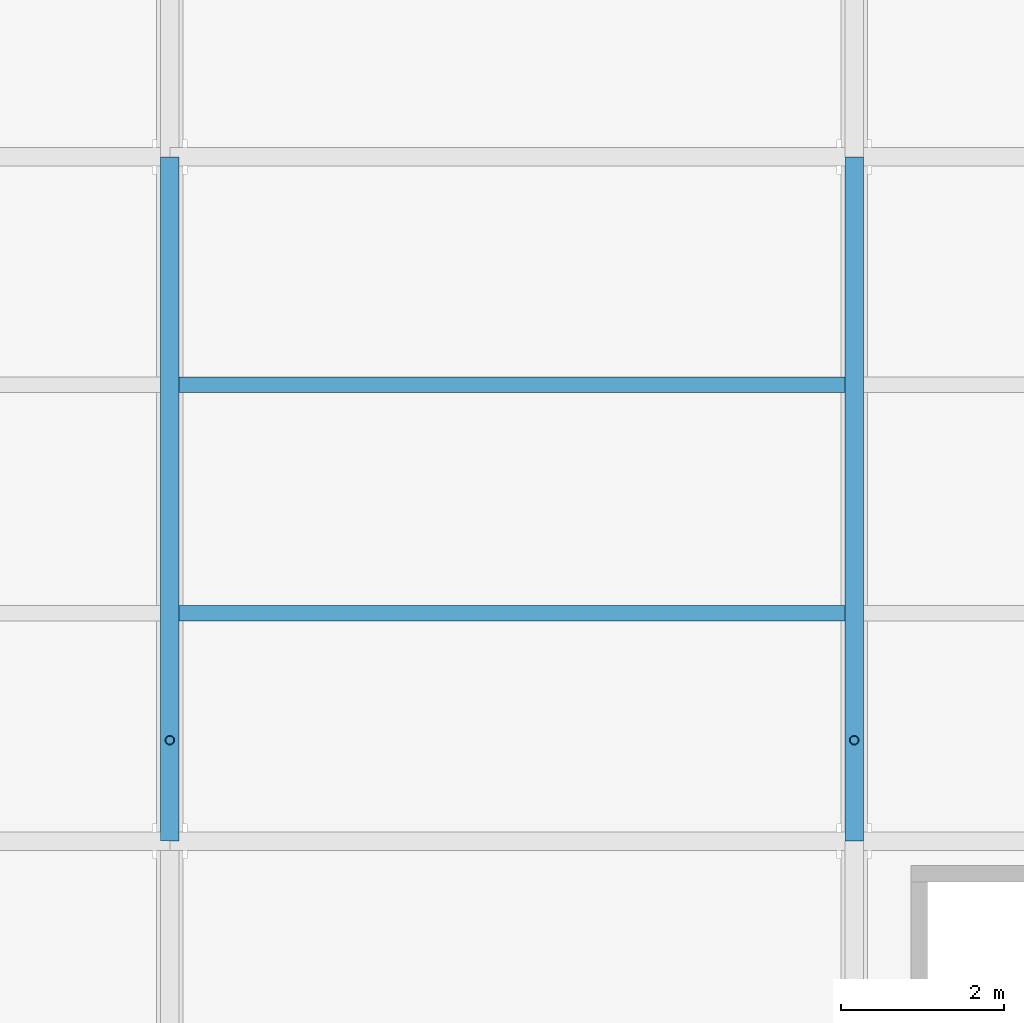
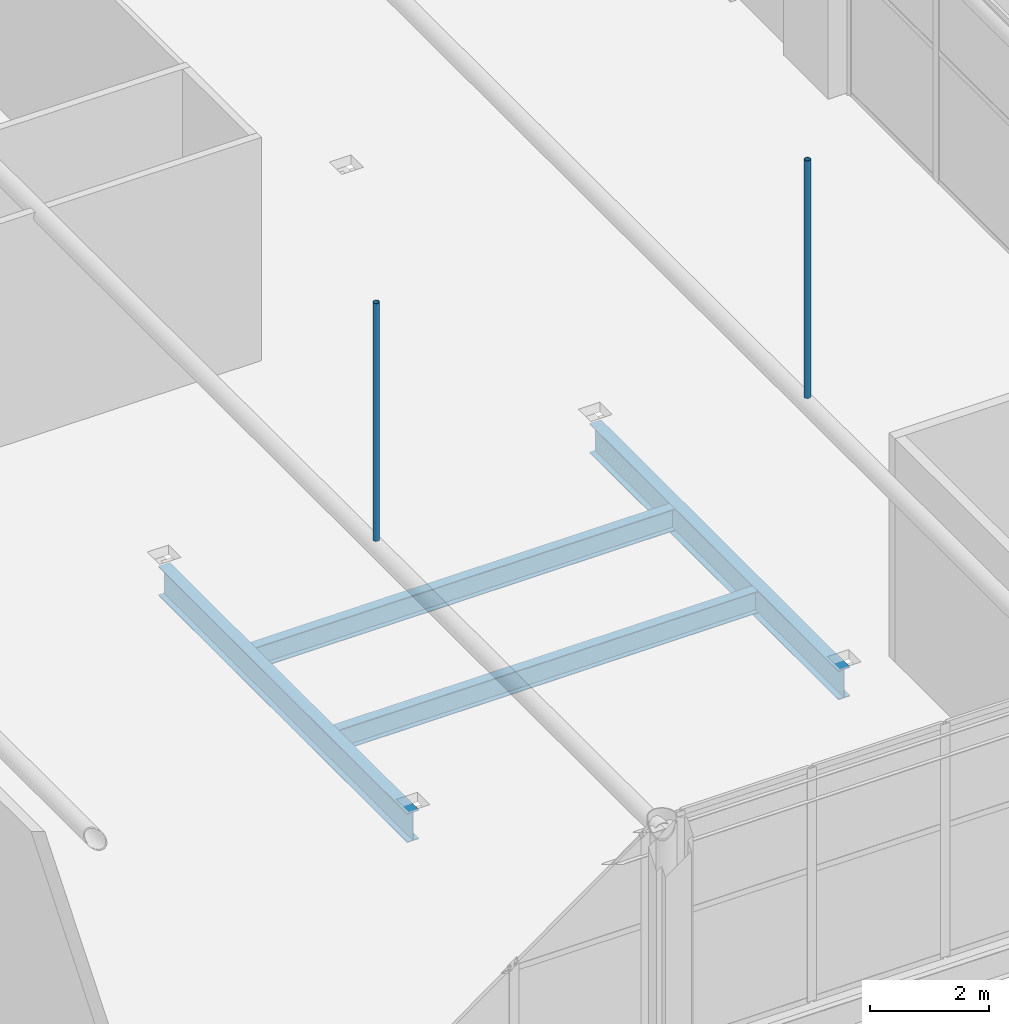
# One storey, part 32 of 167: 4 beams, 2 members.
"""IFC4 building model written with IfcOpenShell, lengths in metres."""

import ifcopenshell
import ifcopenshell.guid

model = None  # the IFC model being written
_history = None  # IfcOwnerHistory: only IFC2X3 demands one
_inside = {}  # id of a spatial element -> (the spatial element, [elements in it])
_under = {}  # id of a project, library or spatial element -> (it, [spatial elements below it])
_declared = {}  # id of a project -> (the project, [libraries it declares])
_typed = {}  # id of a type object -> (the type object, [elements of that type])
_made_of = {}  # id of a material, layer set ... -> (it, [elements and type objects made of it])


def new_model(schema):
    """Start an empty IFC model of exactly this schema.

    Asked for "IFC4X3", IfcOpenShell would pick the latest addendum, in which some entities
    have other attributes; the version numbers below select the first issue.
    IFC2X3 requires an IfcOwnerHistory on every rooted entity: one is made here for all.
    """
    global model, _history
    if schema == "IFC4X3":
        model = ifcopenshell.file(schema_version=(4, 3, 0, 0))
    else:
        model = ifcopenshell.file(schema=schema)
    _inside.clear()
    _under.clear()
    _declared.clear()
    _typed.clear()
    _made_of.clear()
    _history = None
    if model.schema == "IFC2X3":
        org = make("IfcOrganization", Name="unknown")
        user = make(
            "IfcPersonAndOrganization",
            ThePerson=make("IfcPerson", FamilyName="unknown"),
            TheOrganization=org,
        )
        app = make(
            "IfcApplication",
            ApplicationDeveloper=org,
            Version="unknown",
            ApplicationFullName="unknown",
            ApplicationIdentifier="unknown",
        )
        _history = make(
            "IfcOwnerHistory",
            OwningUser=user,
            OwningApplication=app,
            ChangeAction="ADDED",
            CreationDate=0,
        )
    return model


def make(cls, **values):
    """One entity of the class cls with the attributes given. An attribute that is None is left unset."""
    return model.create_entity(
        cls, **{name: value for name, value in values.items() if value is not None}
    )


def rooted(cls, **values):
    """An entity with a GlobalId (a new one), such as an element, a storey or a relation."""
    return make(cls, GlobalId=ifcopenshell.guid.new(), OwnerHistory=_history, **values)


def si_unit(unit_type, name, prefix=None):
    """IfcSIUnit, for example si_unit("LENGTHUNIT", "METRE", prefix="MILLI")."""
    return make("IfcSIUnit", UnitType=unit_type, Prefix=prefix, Name=name)


def assignment(units):
    """IfcUnitAssignment: the units of a project."""
    return None if units is None else make("IfcUnitAssignment", Units=units)


def point(xyz):
    """IfcCartesianPoint."""
    return None if xyz is None else make("IfcCartesianPoint", Coordinates=xyz)


def direction(xyz):
    """IfcDirection."""
    return None if xyz is None else make("IfcDirection", DirectionRatios=xyz)


def frame(location, z_axis=None, x_axis=None):
    """IfcAxis2Placement3D, a coordinate frame: its origin and axes. An axis left out is left unset."""
    return make(
        "IfcAxis2Placement3D",
        Location=point(location),
        Axis=direction(z_axis),
        RefDirection=direction(x_axis),
    )


def frame_2d(location, x_axis=None):
    """IfcAxis2Placement2D, a coordinate frame in the plane: its origin and x axis."""
    return make(
        "IfcAxis2Placement2D", Location=point(location), RefDirection=direction(x_axis)
    )


def origin():
    """The frame at (0, 0, 0) with its axes left unset."""
    return frame((0.0, 0.0, 0.0))


def origin_2d():
    """The frame at (0, 0) in the plane with its x axis left unset."""
    return frame_2d((0.0, 0.0))


def place(relative_to, where):
    """IfcLocalPlacement: puts the frame where relative to a parent placement (None: the world)."""
    return make(
        "IfcLocalPlacement", PlacementRelTo=relative_to, RelativePlacement=where
    )


def context(
    kind, dimensions, precision=None, world=None, true_north=None, identifier=None
):
    """IfcGeometricRepresentationContext, for example the 3D "Model" context."""
    return make(
        "IfcGeometricRepresentationContext",
        ContextIdentifier=identifier,
        ContextType=kind,
        CoordinateSpaceDimension=dimensions,
        Precision=precision,
        WorldCoordinateSystem=world,
        TrueNorth=true_north,
    )


def subcontext(parent, identifier, kind, view, scale=None):
    """IfcGeometricRepresentationSubContext, for example "Body" below "Model"."""
    return make(
        "IfcGeometricRepresentationSubContext",
        ContextIdentifier=identifier,
        ContextType=kind,
        ParentContext=parent,
        TargetScale=scale,
        TargetView=view,
    )


def project(units=None, contexts=None):
    """IfcProject with its units and contexts."""
    return rooted(
        "IfcProject",
        Name="project",
        RepresentationContexts=contexts,
        UnitsInContext=assignment(units),
    )


def spatial(cls, under=None, at=None, **own):
    """A site, building, storey or space (cls), placed at a placement, below another one or the project."""
    s = rooted(cls, ObjectPlacement=at, **own)
    if under is not None:
        _under.setdefault(under.id(), (under, []))[1].append(s)
    return s


def profile(cls, at=None, kind="AREA", **sizes):
    """A parametric profile (cls). Its sizes go by their IFC names, for example OverallWidth=200.0."""
    return make(cls, ProfileType=kind, Position=at, **sizes)


def hollow_circle(**sizes):
    """IfcCircleHollowProfileDef."""
    return profile("IfcCircleHollowProfileDef", **sizes)


def i_section(**sizes):
    """IfcIShapeProfileDef."""
    return profile("IfcIShapeProfileDef", **sizes)


def extrude(swept, where, along, depth):
    """IfcExtrudedAreaSolid: the profile swept, set in the frame where, extruded along a direction by depth."""
    return make(
        "IfcExtrudedAreaSolid",
        SweptArea=swept,
        Position=where,
        ExtrudedDirection=direction(along),
        Depth=depth,
    )


def shape(context_of_items, identifier, shape_type, items):
    """IfcShapeRepresentation: the items that make up one representation, for example the "Body"."""
    return make(
        "IfcShapeRepresentation",
        ContextOfItems=context_of_items,
        RepresentationIdentifier=identifier,
        RepresentationType=shape_type,
        Items=items,
    )


def material(Name=None, Category=None):
    """IfcMaterial."""
    return make("IfcMaterial", Name=Name, Category=Category)


def material_profile(
    of_material, cross_section, Name=None, Category=None, Priority=None
):
    """IfcMaterialProfile: a cross section and its material."""
    return make(
        "IfcMaterialProfile",
        Name=Name,
        Material=of_material,
        Profile=cross_section,
        Priority=Priority,
        Category=Category,
    )


def profile_set(profiles, Name=None, composite=None):
    """IfcMaterialProfileSet."""
    return make(
        "IfcMaterialProfileSet",
        Name=Name,
        MaterialProfiles=profiles,
        CompositeProfile=composite,
    )


def made_of(thing, what):
    """Note that an element or type object is made of a material, layer set ...; save() writes the relation."""
    if what is not None:
        _made_of.setdefault(what.id(), (what, []))[1].append(thing)
    return thing


def type_object(cls, material=None, **own):
    """A type object (cls), such as IfcWallType, which elements share."""
    return made_of(rooted(cls, **own), material)


def element(
    cls,
    number,
    at=None,
    inside=None,
    cuts=None,
    type_object=None,
    material=None,
    context=None,
    identifier="Body",
    shape_type=None,
    held_by="IfcProductDefinitionShape",
    body=None,
    shapes=None,
    **own,
):
    """One element of the class cls, such as IfcWall. Its Tag is "e" and its number.

    at: its placement. inside: the storey or other place that contains it. cuts: it is an
    opening in that element (IfcRelVoidsElement). A single representation is given by context,
    identifier, shape_type and body (its items); several are given by shapes. held_by: the class
    of the entity that holds the representations. save() writes the other relations.
    """
    e = rooted(cls, Tag="e%d" % number, ObjectPlacement=at, **own)
    if body is not None:
        shapes = [shape(context, identifier, shape_type, body)]
    if shapes is not None:
        e.Representation = make(held_by, Representations=shapes)
    if inside is not None:
        _inside.setdefault(inside.id(), (inside, []))[1].append(e)
    if cuts is not None:
        rooted(
            "IfcRelVoidsElement", RelatingBuildingElement=cuts, RelatedOpeningElement=e
        )
    if type_object is not None:
        _typed.setdefault(type_object.id(), (type_object, []))[1].append(e)
    return made_of(e, material)


def aggregate(whole, parts):
    """IfcRelAggregates: a whole, such as a stair, and the parts it consists of."""
    return rooted("IfcRelAggregates", RelatingObject=whole, RelatedObjects=parts)


def save(model, path):
    """Write the relations noted so far, then the file.

    IfcRelAggregates (storeys below a building ...), IfcRelContainedInSpatialStructure (elements
    in a storey), IfcRelDefinesByType, IfcRelAssociatesMaterial and IfcRelDeclares: one each for
    every whole, place, type object, material and project.
    """
    for whole, parts in _under.values():
        aggregate(whole, parts)
    for where, things in _inside.values():
        rooted(
            "IfcRelContainedInSpatialStructure",
            RelatedElements=things,
            RelatingStructure=where,
        )
    for kind, things in _typed.values():
        rooted("IfcRelDefinesByType", RelatedObjects=things, RelatingType=kind)
    for what, things in _made_of.values():
        rooted("IfcRelAssociatesMaterial", RelatedObjects=things, RelatingMaterial=what)
    for by, libraries in _declared.values():
        rooted("IfcRelDeclares", RelatingContext=by, RelatedDefinitions=libraries)
    model.write(path)


model = new_model("IFC4")

# Units and contexts
model_context = context("Model", 3, precision=1e-05, world=origin(), true_north=direction((0.0, 1.0)))
body_context = subcontext(model_context, "Body", "Model", "MODEL_VIEW")
ifc_project = project(units=[si_unit("LENGTHUNIT", "METRE"), si_unit("AREAUNIT", "SQUARE_METRE"), si_unit("VOLUMEUNIT", "CUBIC_METRE"), si_unit("PLANEANGLEUNIT", "RADIAN"), si_unit("MASSUNIT", "GRAM", prefix="KILO")], contexts=[model_context])

# Site, building, storey
site_placement = place(None, origin())
site = spatial("IfcSite", under=ifc_project, at=site_placement, CompositionType="ELEMENT")
building_placement = place(site_placement, origin())
building = spatial("IfcBuilding", under=site, at=building_placement, Name="Catenary Quay Ferry Terminal", CompositionType="ELEMENT")
storey_placement = place(building_placement, frame((0.0, 0.0, 6.0)))
storey = spatial("IfcBuildingStorey", under=building, at=storey_placement, Name="L01", CompositionType="ELEMENT", Elevation=6.0)

# Beams
ifc_material_1 = material(Name="Steel S355", Category="steel")
ifc_material_profile_1 = material_profile(ifc_material_1, i_section(OverallWidth=0.2275390625, OverallDepth=0.6025390625, WebThickness=0.010498046875, FlangeThickness=0.014892578125, at=origin_2d()), Name="UB 610x229x101")
ifc_profile_set_1 = profile_set([ifc_material_profile_1], Name="Steel S355")
beam_type_1 = type_object("IfcBeamType", Name="B3 UB 610x229x101", PredefinedType="BEAM", material=ifc_profile_set_1)
for number, where, z_axis, x_axis, name in (
    (1, (75.60009765625, 75.60009765625, -0.5009765625), (0.0, 1.0, 0.0), (-1.0, 0.0, 0.0), "Beam B3-036"),
    (2, (84.0, 75.60009765625, -0.5009765625), (0.0, 1.0, 0.0), (-1.0, 0.0, 0.0), "Beam B3-041"),
):
    element("IfcBeam", number, at=place(storey_placement, frame(where, z_axis=z_axis, x_axis=x_axis)), inside=storey, type_object=beam_type_1, Name=name, PredefinedType="BEAM", context=body_context, shape_type="SweptSolid", body=[
        extrude(i_section(OverallWidth=0.2275390625, OverallDepth=0.6025390625, WebThickness=0.010498046875, FlangeThickness=0.014892578125, at=origin_2d()), origin(), (0.0, 0.0, 1.0), 8.39990234375),
    ])
ifc_material_2 = material(Name="Steel S355", Category="steel")
ifc_material_profile_2 = material_profile(ifc_material_2, i_section(OverallWidth=0.18994140625, OverallDepth=0.449951171875, WebThickness=0.009521484375, FlangeThickness=0.0146484375, at=origin_2d()), Name="IPE 450")
ifc_profile_set_2 = profile_set([ifc_material_profile_2], Name="Steel S355")
beam_type_2 = type_object("IfcBeamType", Name="B4 IPE 450", PredefinedType="BEAM", material=ifc_profile_set_2)
for number, where, z_axis, x_axis, name in (
    (3, (75.714111328125, 78.39990234375, -0.425048828125), (1.0, 0.0, 0.0), (0.0, 1.0, 0.0), "Beam B4-007"),
    (4, (75.714111328125, 81.199951171875, -0.425048828125), (1.0, 0.0, 0.0), (0.0, 1.0, 0.0), "Beam B4-011"),
):
    element("IfcBeam", number, at=place(storey_placement, frame(where, z_axis=z_axis, x_axis=x_axis)), inside=storey, type_object=beam_type_2, Name=name, PredefinedType="BEAM", context=body_context, shape_type="SweptSolid", body=[
        extrude(i_section(OverallWidth=0.18994140625, OverallDepth=0.449951171875, WebThickness=0.009521484375, FlangeThickness=0.0146484375, at=origin_2d()), origin(), (0.0, 0.0, 1.0), 8.171875),
    ])

# Members
ifc_material_3 = material(Name="Steel S355", Category="steel")
ifc_material_profile_3 = material_profile(ifc_material_3, hollow_circle(Radius=0.05712890625, WallThickness=0.00634765625, at=origin_2d()), Name="CHS 114.3x6.3")
ifc_profile_set_3 = profile_set([ifc_material_profile_3], Name="Steel S355")
member_type = type_object("IfcMemberType", Name="HG1 CHS 114.3x6.3", PredefinedType="POST", material=ifc_profile_set_3)
for number, where, z_axis, x_axis, name in (
    (5, (75.60009765625, 76.840087890625, 4.654052734375), (0.0, 0.0, 1.0), (1.0, 0.0, 0.0), "Hanger VA-07-03"),
    (6, (84.0, 76.840087890625, 4.654052734375), (0.0, 0.0, 1.0), (1.0, 0.0, 0.0), "Hanger VA-08-03"),
):
    element("IfcMember", number, at=place(storey_placement, frame(where, z_axis=z_axis, x_axis=x_axis)), inside=storey, type_object=member_type, Name=name, PredefinedType="POST", context=body_context, shape_type="SweptSolid", body=[
        extrude(hollow_circle(Radius=0.05712890625, WallThickness=0.00634765625, at=origin_2d()), origin(), (0.0, 0.0, 1.0), 4.89599609375),
    ])

save(model, "model.ifc")
